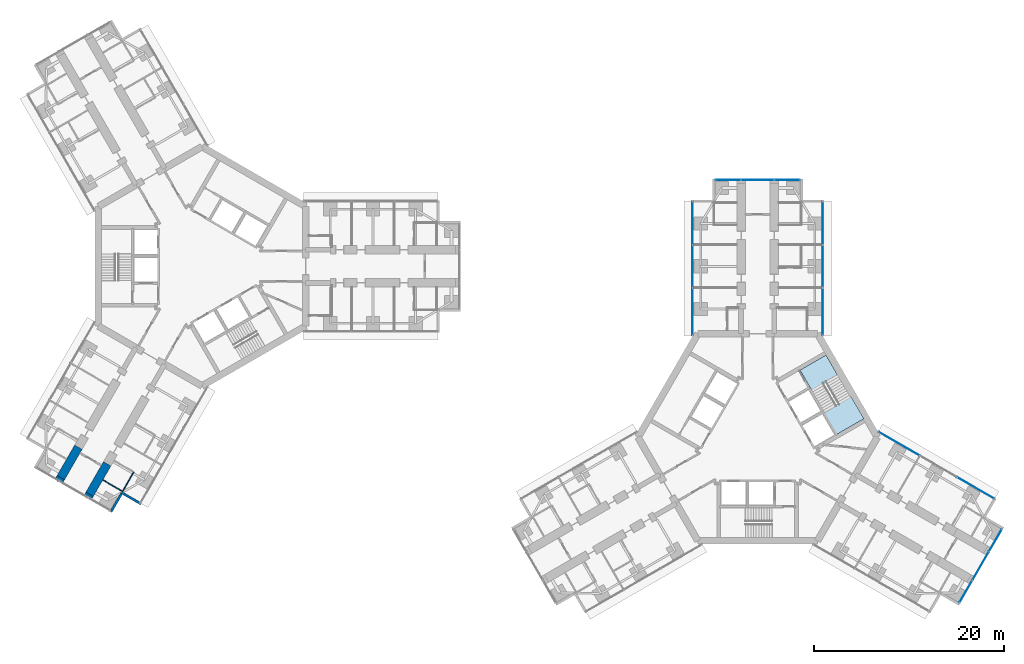
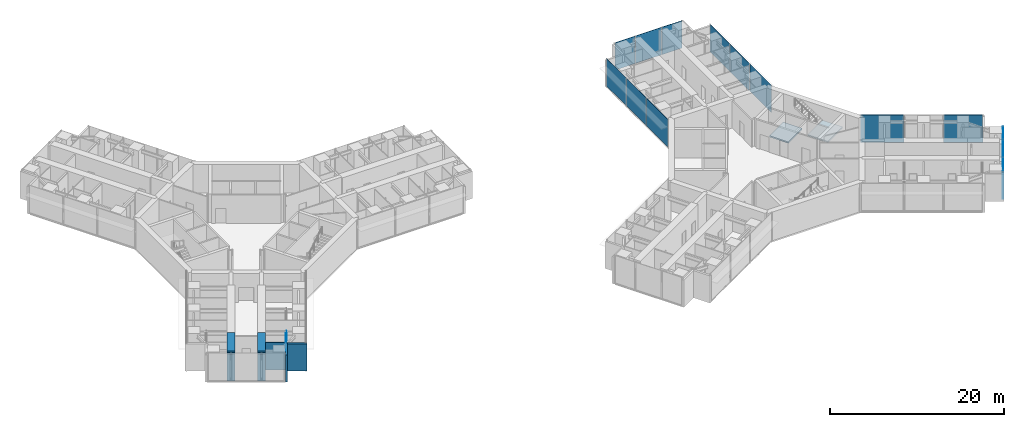
# One storey, part 15 of 25: 14 plates, 8 walls, 2 slabs, 6 elements without a shape of their own.
"""IFC4 building model written with IfcOpenShell, lengths in metres."""

from ifc_helpers import new_model, si_unit, direction, frame, frame_2d, origin, origin_2d, place, context, subcontext, project, spatial, polyline, rectangle, outline, extrude, material, layer, layer_set, type_object, element, aggregate, save


model = new_model("IFC4")

# Units and contexts
model_context = context("Model", 3, precision=1e-05, world=origin(), true_north=direction((0.0, 1.0)))
body_context = subcontext(model_context, "Body", "Model", "MODEL_VIEW")
ifc_project = project(units=[si_unit("LENGTHUNIT", "METRE"), si_unit("AREAUNIT", "SQUARE_METRE"), si_unit("VOLUMEUNIT", "CUBIC_METRE"), si_unit("PLANEANGLEUNIT", "RADIAN"), si_unit("MASSUNIT", "GRAM", prefix="KILO")], contexts=[model_context])

# Site, building, storey
site_placement = place(None, origin())
site = spatial("IfcSite", under=ifc_project, at=site_placement, CompositionType="ELEMENT")
building_placement = place(site_placement, origin())
building = spatial("IfcBuilding", under=site, at=building_placement, Name="Upepo Twin Towers", CompositionType="ELEMENT")
storey_placement = place(building_placement, frame((0.0, 0.0, 72.5)))
storey = spatial("IfcBuildingStorey", under=building, at=storey_placement, Name="L17", CompositionType="ELEMENT", Elevation=72.5)

# Curtain wall, plates
ifc_material_1 = material(Name="Aluminium and fritted glass", Category="aluminium")
curtain_wall_type = type_object("IfcCurtainWallType", Name="Tower curtain wall TW1, fritted glass", PredefinedType="NOTDEFINED", material=ifc_material_1)
curtain_wall_1_placement = place(storey_placement, origin())
curtain_wall_1 = element("IfcCurtainWall", 1, at=curtain_wall_1_placement, inside=storey, type_object=curtain_wall_type, Name="T2 L17 wing A flank L curtain wall", PredefinedType="NOTDEFINED")
ifc_material_2 = material(Name="Ceramic-fritted laminated glass", Category="glass")
ifc_layer_1 = layer(ifc_material_2, 0.031982421875)
ifc_layer_set_1 = layer_set([ifc_layer_1], Name="Fritted glass panel, 30 per cent dot frit, 32 mm double glazed")
plate_type_1 = type_object("IfcPlateType", Name="Fritted glass panel, 30 per cent dot frit, 32 mm double glazed", PredefinedType="CURTAIN_PANEL", material=ifc_layer_set_1)
plate_1_placement = place(storey_placement, frame((51.64990234375, -4.76513671875, 0.14990234375), z_axis=(0.0, 0.0, 1.0), x_axis=(0.0, 1.0, 0.0)))
plate_1 = element("IfcPlate", 2, at=plate_1_placement, type_object=plate_type_1, Name="T2 L17 wing A flank L curtain wall panel 1", PredefinedType="CURTAIN_PANEL", context=body_context, shape_type="SweptSolid", body=[
    extrude(rectangle(XDim=4.96533203125, YDim=0.031982421875, at=origin_2d()), origin(), (0.0, 0.0, 1.0), 3.85009765625),
])
plate_2_placement = place(storey_placement, frame((51.64990234375, 0.0, 0.14990234375), z_axis=(0.0, 0.0, 1.0), x_axis=(0.0, 1.0, 0.0)))
plate_2 = element("IfcPlate", 3, at=plate_2_placement, type_object=plate_type_1, Name="T2 L17 wing A flank L curtain wall panel 2", PredefinedType="CURTAIN_PANEL", context=body_context, shape_type="SweptSolid", body=[
    extrude(rectangle(XDim=4.43505859375, YDim=0.031982421875, at=origin_2d()), origin(), (0.0, 0.0, 1.0), 3.85009765625),
])
plate_3_placement = place(storey_placement, frame((51.64990234375, 4.53369140625, 0.14990234375), z_axis=(0.0, 0.0, 1.0), x_axis=(0.0, 1.0, 0.0)))
plate_3 = element("IfcPlate", 4, at=plate_3_placement, type_object=plate_type_1, Name="T2 L17 wing A flank L curtain wall panel 3", PredefinedType="CURTAIN_PANEL", context=body_context, shape_type="SweptSolid", body=[
    extrude(rectangle(XDim=4.50244140625, YDim=0.031982421875, at=origin_2d()), origin(), (0.0, 0.0, 1.0), 3.85009765625),
])
aggregate(curtain_wall_1, [plate_1, plate_2, plate_3])

curtain_wall_2_placement = place(storey_placement, origin())
curtain_wall_2 = element("IfcCurtainWall", 5, at=curtain_wall_2_placement, inside=storey, type_object=curtain_wall_type, Name="T2 L17 wing A flank R curtain wall", PredefinedType="NOTDEFINED")
plate_4_placement = place(storey_placement, frame((65.35009765625, 4.53369140625, 0.14990234375), z_axis=(0.0, 0.0, 1.0), x_axis=(0.0, -1.0, 0.0)))
plate_4 = element("IfcPlate", 6, at=plate_4_placement, type_object=plate_type_1, Name="T2 L17 wing A flank R curtain wall panel 1", PredefinedType="CURTAIN_PANEL", context=body_context, shape_type="SweptSolid", body=[
    extrude(rectangle(XDim=4.50244140625, YDim=0.031982421875, at=origin_2d()), origin(), (0.0, 0.0, 1.0), 3.85009765625),
])
plate_5_placement = place(storey_placement, frame((65.35009765625, 0.0, 0.14990234375), z_axis=(0.0, 0.0, 1.0), x_axis=(0.0, -1.0, 0.0)))
plate_5 = element("IfcPlate", 7, at=plate_5_placement, type_object=plate_type_1, Name="T2 L17 wing A flank R curtain wall panel 2", PredefinedType="CURTAIN_PANEL", context=body_context, shape_type="SweptSolid", body=[
    extrude(rectangle(XDim=4.43505859375, YDim=0.031982421875, at=origin_2d()), origin(), (0.0, 0.0, 1.0), 3.85009765625),
])
plate_6_placement = place(storey_placement, frame((65.35009765625, -4.76513671875, 0.14990234375), z_axis=(0.0, 0.0, 1.0), x_axis=(0.0, -1.0, 0.0)))
plate_6 = element("IfcPlate", 8, at=plate_6_placement, type_object=plate_type_1, Name="T2 L17 wing A flank R curtain wall panel 3", PredefinedType="CURTAIN_PANEL", context=body_context, shape_type="SweptSolid", body=[
    extrude(rectangle(XDim=4.96533203125, YDim=0.031982421875, at=origin_2d()), origin(), (0.0, 0.0, 1.0), 3.85009765625),
])
aggregate(curtain_wall_2, [plate_4, plate_5, plate_6])

# Curtain wall, plate
curtain_wall_3_placement = place(storey_placement, origin())
curtain_wall_3 = element("IfcCurtainWall", 9, at=curtain_wall_3_placement, inside=storey, type_object=curtain_wall_type, Name="T2 L17 wing A nose curtain wall", PredefinedType="NOTDEFINED")
plate_7_placement = place(storey_placement, frame((58.5, 9.10009765625, 0.14990234375), z_axis=(0.0, 0.0, 1.0), x_axis=(-1.0, 0.0, 0.0)))
plate_7 = element("IfcPlate", 10, at=plate_7_placement, type_object=plate_type_1, Name="T2 L17 wing A nose curtain wall panel 2", PredefinedType="CURTAIN_PANEL", context=body_context, shape_type="SweptSolid", body=[
    extrude(rectangle(XDim=3.43505859375, YDim=0.031982421875, at=origin_2d()), origin(), (0.0, 0.0, 1.0), 3.85009765625),
])

# Curtain wall, plates
curtain_wall_4_placement = place(storey_placement, origin())
curtain_wall_4 = element("IfcCurtainWall", 11, at=curtain_wall_4_placement, inside=storey, type_object=curtain_wall_type, Name="T2 L17 wing C flank L curtain wall", PredefinedType="NOTDEFINED")
plate_8_placement = place(storey_placement, frame((73.38671875, -18.68505859375, 0.14990234375), z_axis=(0.0, 0.0, 1.0), x_axis=(0.866025389682, -0.500000024426, 0.0)))
plate_8 = element("IfcPlate", 12, at=plate_8_placement, type_object=plate_type_1, Name="T2 L17 wing C flank L curtain wall panel 1", PredefinedType="CURTAIN_PANEL", context=body_context, shape_type="SweptSolid", body=[
    extrude(rectangle(XDim=4.96533203125, YDim=0.031982421875, at=origin_2d()), origin(), (0.0, 0.0, 1.0), 3.85009765625),
])
plate_9_placement = place(storey_placement, frame((81.439697265625, -23.334716796875, 0.14990234375), z_axis=(0.0, 0.0, 1.0), x_axis=(0.866025389682, -0.500000024426, 0.0)))
plate_9 = element("IfcPlate", 13, at=plate_9_placement, type_object=plate_type_1, Name="T2 L17 wing C flank L curtain wall panel 3", PredefinedType="CURTAIN_PANEL", context=body_context, shape_type="SweptSolid", body=[
    extrude(rectangle(XDim=4.50244140625, YDim=0.031982421875, at=origin_2d()), origin(), (0.0, 0.0, 1.0), 3.85009765625),
])
aggregate(curtain_wall_4, [plate_8, plate_9])

# Curtain wall, plate
curtain_wall_5_placement = place(storey_placement, origin())
curtain_wall_5 = element("IfcCurtainWall", 14, at=curtain_wall_5_placement, inside=storey, type_object=curtain_wall_type, Name="T2 L17 wing C nose curtain wall", PredefinedType="NOTDEFINED")
plate_10_placement = place(storey_placement, frame((81.96923828125, -31.550048828125, 0.14990234375), z_axis=(0.0, 0.0, 1.0), x_axis=(0.500000030502, 0.866025386174, 0.0)))
plate_10 = element("IfcPlate", 15, at=plate_10_placement, type_object=plate_type_1, Name="T2 L17 wing C nose curtain wall panel 2", PredefinedType="CURTAIN_PANEL", context=body_context, shape_type="SweptSolid", body=[
    extrude(rectangle(XDim=3.43505859375, YDim=0.031982421875, at=origin_2d()), origin(), (0.0, 0.0, 1.0), 3.85009765625),
])

# Plate
ifc_material_3 = material(Name="Clear laminated glass in opening sash", Category="glass")
ifc_layer_2 = layer(ifc_material_3, 0.031982421875)
ifc_layer_set_2 = layer_set([ifc_layer_2], Name="Operable glass panel, 32 mm double glazed")
plate_type_2 = type_object("IfcPlateType", Name="Operable glass panel, 32 mm double glazed", PredefinedType="CURTAIN_PANEL", material=ifc_layer_set_2)
plate_11_placement = place(storey_placement, frame((61.608642578125, 9.10009765625, 0.14990234375), z_axis=(0.0, 0.0, 1.0), x_axis=(-1.0, 0.0, 0.0)))
plate_11 = element("IfcPlate", 16, at=plate_11_placement, type_object=plate_type_2, Name="T2 L17 wing A nose curtain wall panel 1", PredefinedType="CURTAIN_PANEL", context=body_context, shape_type="SweptSolid", body=[
    extrude(rectangle(XDim=2.652587890625, YDim=0.031982421875, at=origin_2d()), origin(), (0.0, 0.0, 1.0), 3.85009765625),
])

plate_12_placement = place(storey_placement, frame((55.391357421875, 9.10009765625, 0.14990234375), z_axis=(0.0, 0.0, 1.0), x_axis=(-1.0, 0.0, 0.0)))
plate_12 = element("IfcPlate", 17, at=plate_12_placement, type_object=plate_type_2, Name="T2 L17 wing A nose curtain wall panel 3", PredefinedType="CURTAIN_PANEL", context=body_context, shape_type="SweptSolid", body=[
    extrude(rectangle(XDim=2.652587890625, YDim=0.031982421875, at=origin_2d()), origin(), (0.0, 0.0, 1.0), 3.85009765625),
])

aggregate(curtain_wall_3, [plate_11, plate_7, plate_12])

plate_13_placement = place(storey_placement, frame((80.414794921875, -34.2421875, 0.14990234375), z_axis=(0.0, 0.0, 1.0), x_axis=(0.500000030502, 0.866025386174, 0.0)))
plate_13 = element("IfcPlate", 18, at=plate_13_placement, type_object=plate_type_2, Name="T2 L17 wing C nose curtain wall panel 1", PredefinedType="CURTAIN_PANEL", context=body_context, shape_type="SweptSolid", body=[
    extrude(rectangle(XDim=2.652587890625, YDim=0.031982421875, at=origin_2d()), origin(), (0.0, 0.0, 1.0), 3.85009765625),
])

plate_14_placement = place(storey_placement, frame((83.523681640625, -28.857666015625, 0.14990234375), z_axis=(0.0, 0.0, 1.0), x_axis=(0.500000030502, 0.866025386174, 0.0)))
plate_14 = element("IfcPlate", 19, at=plate_14_placement, type_object=plate_type_2, Name="T2 L17 wing C nose curtain wall panel 3", PredefinedType="CURTAIN_PANEL", context=body_context, shape_type="SweptSolid", body=[
    extrude(rectangle(XDim=2.652587890625, YDim=0.031982421875, at=origin_2d()), origin(), (0.0, 0.0, 1.0), 3.85009765625),
])

aggregate(curtain_wall_5, [plate_13, plate_10, plate_14])

# Stair, slabs
ifc_material_4 = material(Name="Concrete C40/50", Category="concrete")
stair_type = type_object("IfcStairType", Name="Core stair, two flights", PredefinedType="HALF_TURN_STAIR", material=ifc_material_4)
stair_placement = place(storey_placement, origin())
stair = element("IfcStair", 20, at=stair_placement, inside=storey, type_object=stair_type, Name="T2 stair S2 L17", PredefinedType="HALF_TURN_STAIR")
ifc_material_5 = material(Name="Concrete C40/50", Category="concrete")
ifc_layer_3 = layer(ifc_material_5, 0.199951171875)
ifc_layer_set_3 = layer_set([ifc_layer_3], Name="Concrete C40/50")
slab_type = type_object("IfcSlabType", Name="Stair landing 200 RC", PredefinedType="LANDING", material=ifc_layer_set_3)
slab_1_placement = place(storey_placement, frame((0.0, 0.0, -0.199951171875)))
slab_1 = element("IfcSlab", 21, at=slab_1_placement, type_object=slab_type, Name="Stair S2 landing 1", PredefinedType="LANDING", context=body_context, shape_type="SweptSolid", body=[
    extrude(outline(polyline([(64.198486328125, -13.0703125), (66.933837890625, -11.490966796875), (65.69384765625, -9.34326171875), (62.95849609375, -10.922607421875), (64.198486328125, -13.0703125)])), origin(), (0.0, 0.0, 1.0), 0.199951171875),
])
slab_2_placement = place(storey_placement, frame((0.0, 0.0, 1.800048828125)))
slab_2 = element("IfcSlab", 22, at=slab_2_placement, type_object=slab_type, Name="Stair S2 landing 2", PredefinedType="LANDING", context=body_context, shape_type="SweptSolid", body=[
    extrude(outline(polyline([(66.77197265625, -17.7275390625), (69.680419921875, -16.04833984375), (68.3203125, -13.692626953125), (65.411865234375, -15.371826171875), (66.77197265625, -17.7275390625)])), origin(), (0.0, 0.0, 1.0), 0.199951171875),
])
aggregate(stair, [slab_1, slab_2])

# Walls
ifc_material_6 = material(Name="Dense concrete blockwork", Category="masonry")
ifc_layer_4 = layer(ifc_material_6, 0.89990234375)
ifc_layer_set_4 = layer_set([ifc_layer_4], Name="Buttress closer 900, blockwork with fire-stopping to the curtain wall")
wall_type_1 = type_object("IfcWallType", Name="Buttress closer 900, blockwork with fire-stopping to the curtain wall", PredefinedType="PARTITIONING", material=ifc_layer_set_4)
for number, where, z_axis, x_axis, name in (
    (23, (-11.83447265625, -23.997802734375, 0.0), (0.0, 0.0, 1.0), (-0.499949632511, -0.866054481515, 0.0), "T1 L17 wing C buttress closer L"),
    (24, (-14.865478515625, -22.247802734375, 0.0), (0.0, 0.0, 1.0), (-0.499949632511, -0.866054481515, 0.0), "T1 L17 wing C buttress closer R"),
):
    element("IfcWall", number, at=place(storey_placement, frame(where, z_axis=z_axis, x_axis=x_axis)), inside=storey, type_object=wall_type_1, Name=name, PredefinedType="PARTITIONING", context=body_context, shape_type="SweptSolid", body=[
        extrude(rectangle(XDim=0.31005859375, YDim=0.89990234375, at=frame_2d((0.155029296875, 0.0))), origin(), (0.0, 0.0, 1.0), 3.800048828125),
    ])
ifc_material_7 = material(Name="Concrete C60/75", Category="concrete")
ifc_layer_5 = layer(ifc_material_7, 0.89990234375)
ifc_layer_set_5 = layer_set([ifc_layer_5], Name="Concrete C60/75")
wall_type_2 = type_object("IfcWallType", Name="Buttress wall 900 RC", PredefinedType="SHEAR", material=ifc_layer_set_5)
wall_1_placement = place(storey_placement, frame((-9.984375, -20.793701171875, 0.0), z_axis=(0.0, 0.0, 1.0), x_axis=(-0.500042316284, -0.866000971088, 0.0)))
element("IfcWall", 25, at=wall_1_placement, inside=storey, type_object=wall_type_2, Name="T1 wing C buttress wall L part 3", PredefinedType="SHEAR", context=body_context, shape_type="SweptSolid", body=[
    extrude(rectangle(XDim=3.699951171875, YDim=0.89990234375, at=frame_2d((1.85009765625, 0.0))), origin(), (0.0, 0.0, 1.0), 4.0),
])
wall_2_placement = place(storey_placement, frame((-13.015625, -19.043701171875, 0.0), z_axis=(0.0, 0.0, 1.0), x_axis=(-0.499992827086, -0.866029545028, 0.0)))
element("IfcWall", 26, at=wall_2_placement, inside=storey, type_object=wall_type_2, Name="T1 wing C buttress wall R part 3", PredefinedType="SHEAR", context=body_context, shape_type="SweptSolid", body=[
    extrude(rectangle(XDim=3.69970703125, YDim=0.89990234375, at=frame_2d((1.849853515625, 0.0))), origin(), (0.0, 0.0, 1.0), 4.0),
])
ifc_material_8 = material(Name="Blockwork with anodised aluminium cladding", Category="masonry")
ifc_layer_6 = layer(ifc_material_8, 0.25)
ifc_layer_set_6 = layer_set([ifc_layer_6], Name="Notch cladding wall 250, pale metal")
wall_type_3 = type_object("IfcWallType", Name="Notch cladding wall 250, pale metal", PredefinedType="STANDARD", material=ifc_layer_set_6)
for number, where, z_axis, x_axis, name in (
    (27, (-6.418701171875, -25.017333984375, 0.0), (0.0, 0.0, 1.0), (-0.866043940782, 0.499967891604, 0.0), "T1 L17 wing C notch wall L1"),
    (28, (-8.43212890625, -23.85498046875, 0.0), (0.0, 0.0, 1.0), (-0.500046648681, -0.865998469481, 0.0), "T1 L17 wing C notch wall L2"),
):
    element("IfcWall", number, at=place(storey_placement, frame(where, z_axis=z_axis, x_axis=x_axis)), inside=storey, type_object=wall_type_3, Name=name, PredefinedType="STANDARD", context=body_context, shape_type="SweptSolid", body=[
        extrude(rectangle(XDim=2.324951171875, YDim=0.25, at=frame_2d((1.16259765625, 0.0))), origin(), (0.0, 0.0, 1.0), 3.800048828125),
    ])
ifc_material_9 = material(Name="Gypsum board on steel studs", Category="steel")
ifc_layer_7 = layer(ifc_material_9, 0.10009765625)
ifc_layer_set_7 = layer_set([ifc_layer_7], Name="Office partition 100 stud")
wall_type_4 = type_object("IfcWallType", Name="Office partition 100 stud", PredefinedType="PARTITIONING", material=ifc_layer_set_7)
wall_3_placement = place(storey_placement, frame((-7.191162109375, -21.65576171875, 0.0), z_axis=(0.0, 0.0, 1.0), x_axis=(-0.500077600433, -0.865980596518, 0.0)))
element("IfcWall", 29, at=wall_3_placement, inside=storey, type_object=wall_type_4, Name="T1 inner room partition CL at 22.35", PredefinedType="PARTITIONING", context=body_context, shape_type="SweptSolid", body=[
    extrude(rectangle(XDim=2.39990234375, YDim=0.10009765625, at=frame_2d((1.199951171875, 0.0))), origin(), (0.0, 0.0, 1.0), 3.800048828125),
])
wall_4_placement = place(storey_placement, frame((-10.44482421875, -22.49072265625, 0.0), z_axis=(0.0, 0.0, 1.0), x_axis=(0.866006032174, -0.500033551112, 0.0)))
element("IfcWall", 30, at=wall_4_placement, inside=storey, type_object=wall_type_4, Name="T1 inner room partition CL end at 24.75", PredefinedType="PARTITIONING", context=body_context, shape_type="SweptSolid", body=[
    extrude(rectangle(XDim=2.400146484375, YDim=0.10009765625, at=frame_2d((1.2001953125, 0.0))), origin(), (0.0, 0.0, 1.0), 3.800048828125),
])

save(model, "model.ifc")
